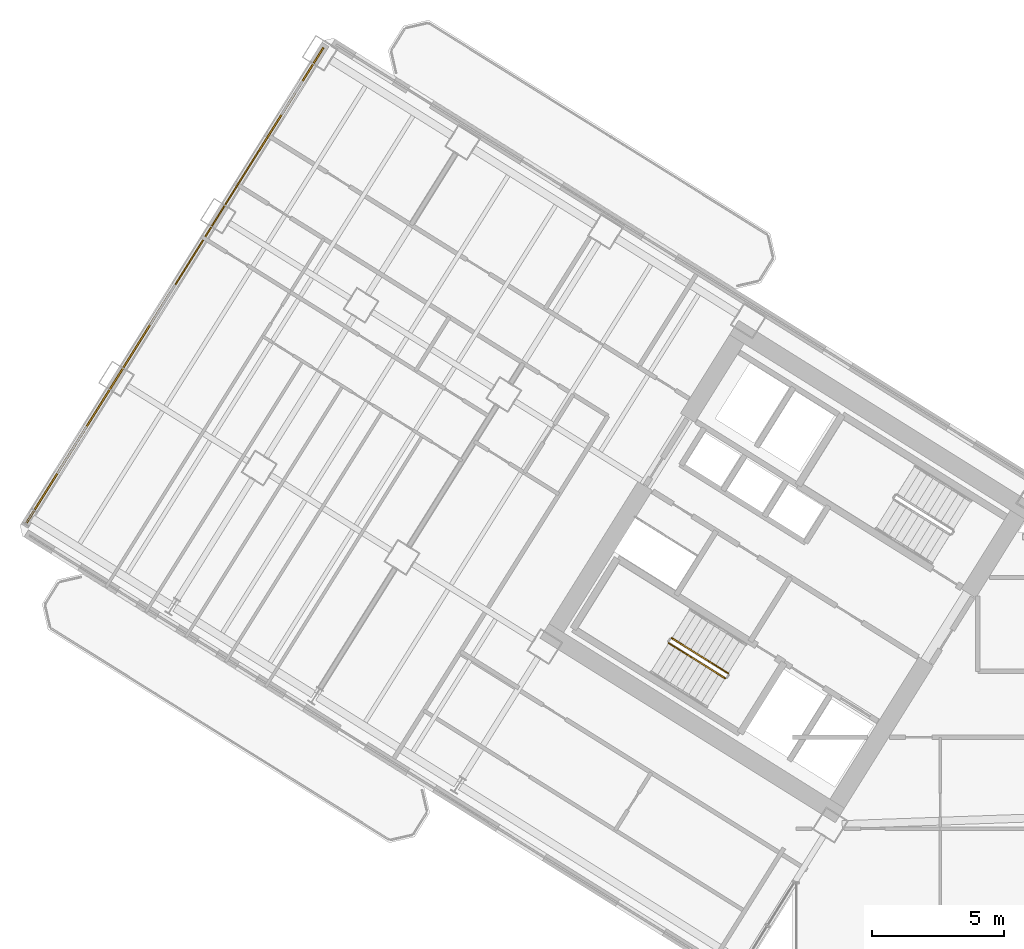
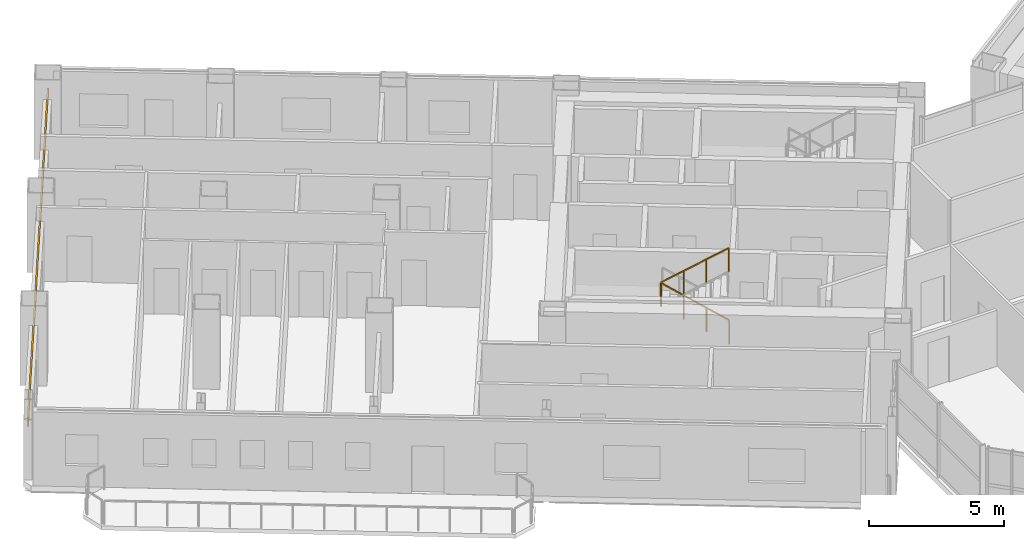
# One storey, part 23 of 28: 2 railings, 1 covering.
"""IFC4 building model written with IfcOpenShell, lengths in metres."""

from ifc_helpers import new_model, si_unit, direction, frame, origin, origin_2d, place, context, subcontext, project, spatial, rectangle, extrude, source, transform, mapped, material, layer, layer_set, type_object, element, save


model = new_model("IFC4")

# Units and contexts
model_context = context("Model", 3, precision=1e-05, world=origin(), true_north=direction((0.0, 1.0)))
body_context = subcontext(model_context, "Body", "Model", "MODEL_VIEW")
ifc_project = project(units=[si_unit("LENGTHUNIT", "METRE"), si_unit("AREAUNIT", "SQUARE_METRE"), si_unit("VOLUMEUNIT", "CUBIC_METRE"), si_unit("PLANEANGLEUNIT", "RADIAN"), si_unit("MASSUNIT", "GRAM", prefix="KILO")], contexts=[model_context])

# Site, building, storey
site_placement = place(None, origin())
site = spatial("IfcSite", under=ifc_project, at=site_placement, CompositionType="ELEMENT")
building_placement = place(site_placement, origin())
building = spatial("IfcBuilding", under=site, at=building_placement, Name="Tlacorven Tower", CompositionType="ELEMENT")
storey_placement = place(building_placement, frame((0.0, 0.0, 27.60009765625)))
storey = spatial("IfcBuildingStorey", under=building, at=storey_placement, Name="L06", CompositionType="ELEMENT", Elevation=27.60009765625)

# Covering
ifc_material_1 = material(Name="Precast concrete C45/55", Category="concrete")
ifc_layer = layer(ifc_material_1, 0.06005859375)
ifc_layer_set = layer_set([ifc_layer], Name="Precast concrete C45/55")
covering_type = type_object("IfcCoveringType", Name="CV-CLD-TERC", PredefinedType="CLADDING", material=ifc_layer_set)
shared_shape_1 = source(origin(), body_context, "Body", "SweptSolid", [
    extrude(rectangle(XDim=21.287353515625, YDim=0.06005859375, at=origin_2d()), origin(), (0.0, 0.0, 1.0), 0.419921875),
])
covering_placement = place(storey_placement, frame((8.13427734375, 32.606201171875, 2.304931640625), z_axis=(0.0, 0.0, 1.0), x_axis=(0.529918940959, 0.84804829816, 0.0)))
element("IfcCovering", 1, at=covering_placement, inside=storey, type_object=covering_type, Name="L06 Masonry-Frame Spandrel Cladding 2", PredefinedType="CLADDING", context=body_context, shape_type="MappedRepresentation", body=[
    mapped(shared_shape_1, transform((0.0, 0.0, 0.0), scale=1.0)),
])

# Railings
ifc_material_2 = material(Name="Aluminium and painted steel balustrade", Category="steel")
railing_type = type_object("IfcRailingType", Name="RL-GRD-1100", PredefinedType="GUARDRAIL", material=ifc_material_2)
shared_shape_2 = source(origin(), body_context, "Body", "SweptSolid", [
    extrude(rectangle(XDim=0.048095703125, YDim=0.048095703125, at=origin_2d()), frame((0.0, 0.0, 1.076171875), z_axis=(-0.713351164325, 0.445793541512, 0.540738601085), x_axis=(-0.529955395941, -0.84802551749, 0.0)), (0.0, 0.0, 1.0), 2.99560546875),
    extrude(rectangle(XDim=0.0419921875, YDim=0.0419921875, at=origin_2d()), origin(), (0.0, 0.0, 1.0), 1.052001953125),
    extrude(rectangle(XDim=0.0419921875, YDim=0.0419921875, at=origin_2d()), frame((-0.71240234375, 0.445068359375, 0.5400390625)), (0.0, 0.0, 1.0), 1.052001953125),
    extrude(rectangle(XDim=0.0419921875, YDim=0.0419921875, at=origin_2d()), frame((-1.424560546875, 0.890380859375, 1.079833984375)), (0.0, 0.0, 1.0), 1.052001953125),
    extrude(rectangle(XDim=0.0419921875, YDim=0.0419921875, at=origin_2d()), frame((-2.136962890625, 1.33544921875, 1.619873046875)), (0.0, 0.0, 1.0), 1.052001953125),
])
railing_1_placement = place(storey_placement, frame((29.16064453125, 17.851806640625, 0.179931640625)))
element("IfcRailing", 2, at=railing_1_placement, inside=storey, type_object=railing_type, Name="L06 ST-W1 stair guard 1", PredefinedType="GUARDRAIL", context=body_context, shape_type="MappedRepresentation", body=[
    mapped(shared_shape_2, transform((0.0, 0.0, 0.0), scale=1.0)),
])
shared_shape_3 = source(origin(), body_context, "Body", "SweptSolid", [
    extrude(rectangle(XDim=0.048095703125, YDim=0.048095703125, at=origin_2d()), frame((0.0, 0.0, 1.076171875), z_axis=(0.71339118691, -0.44576762536, 0.540707165313), x_axis=(0.529911857636, 0.848052724267, 0.0)), (0.0, 0.0, 1.0), 2.995849609375),
    extrude(rectangle(XDim=0.0419921875, YDim=0.0419921875, at=origin_2d()), origin(), (0.0, 0.0, 1.0), 1.052001953125),
    extrude(rectangle(XDim=0.0419921875, YDim=0.0419921875, at=origin_2d()), frame((0.71240234375, -0.445068359375, 0.5400390625)), (0.0, 0.0, 1.0), 1.052001953125),
    extrude(rectangle(XDim=0.0419921875, YDim=0.0419921875, at=origin_2d()), frame((1.4248046875, -0.890380859375, 1.079833984375)), (0.0, 0.0, 1.0), 1.052001953125),
    extrude(rectangle(XDim=0.0419921875, YDim=0.0419921875, at=origin_2d()), frame((2.13720703125, -1.33544921875, 1.619873046875)), (0.0, 0.0, 1.0), 1.052001953125),
])
railing_2_placement = place(storey_placement, frame((26.906982421875, 19.000732421875, 1.97998046875)))
element("IfcRailing", 3, at=railing_2_placement, inside=storey, type_object=railing_type, Name="L06 ST-W1 stair guard 3", PredefinedType="GUARDRAIL", context=body_context, shape_type="MappedRepresentation", body=[
    mapped(shared_shape_3, transform((0.0, 0.0, 0.0), scale=1.0)),
])

save(model, "model.ifc")
